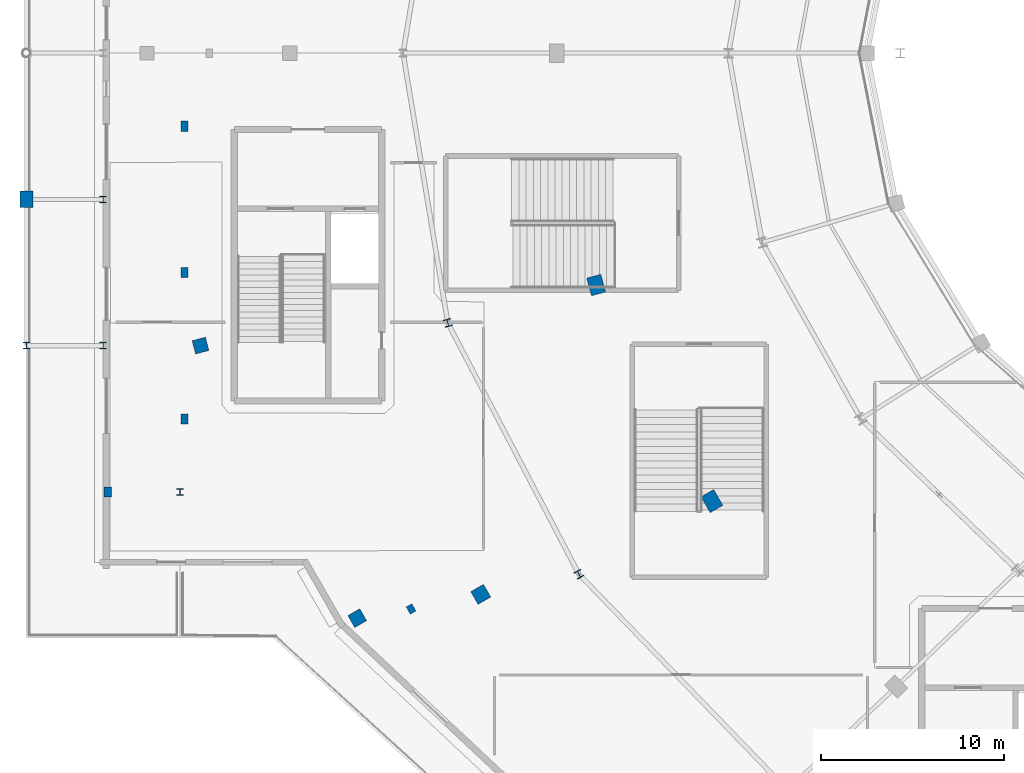
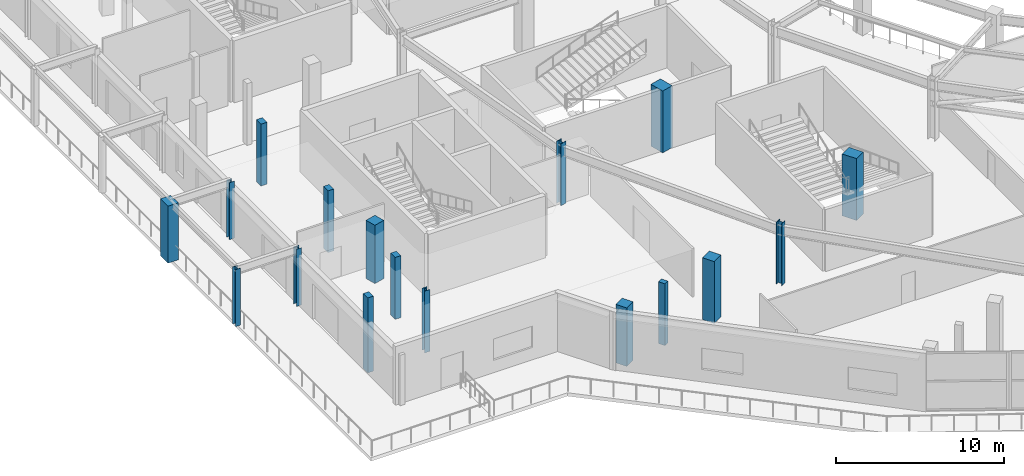
# One storey, part 2 of 107: 17 columns.
"""IFC4 building model written with IfcOpenShell, lengths in metres."""

from ifc_helpers import new_model, si_unit, direction, frame, origin, origin_2d, place, context, subcontext, project, spatial, rectangle, i_section, extrude, material, material_profile, profile_set, type_object, element, save


model = new_model("IFC4")

# Units and contexts
model_context = context("Model", 3, precision=1e-05, world=origin(), true_north=direction((0.0, 1.0)))
body_context = subcontext(model_context, "Body", "Model", "MODEL_VIEW")
ifc_project = project(units=[si_unit("LENGTHUNIT", "METRE"), si_unit("AREAUNIT", "SQUARE_METRE"), si_unit("VOLUMEUNIT", "CUBIC_METRE"), si_unit("PLANEANGLEUNIT", "RADIAN"), si_unit("MASSUNIT", "GRAM", prefix="KILO")], contexts=[model_context])

# Site, building, storey
site_placement = place(None, origin())
site = spatial("IfcSite", under=ifc_project, at=site_placement, CompositionType="ELEMENT")
building_placement = place(site_placement, origin())
building = spatial("IfcBuilding", under=site, at=building_placement, Name="Kalgoora Escarpment Arena", CompositionType="ELEMENT")
storey_placement = place(building_placement, frame((0.0, 0.0, 5.39990234375)))
storey = spatial("IfcBuildingStorey", under=building, at=storey_placement, Name="L01", CompositionType="ELEMENT", Elevation=5.39990234375)

# Columns
ifc_material_1 = material(Name="Structural steel Grade 350 (350 MPa)", Category="steel")
ifc_material_profile_1 = material_profile(ifc_material_1, i_section(OverallWidth=0.35009765625, OverallDepth=0.35009765625, WebThickness=0.013916015625, FlangeThickness=0.02392578125, at=origin_2d()))
ifc_profile_set_1 = profile_set([ifc_material_profile_1], Name="Structural steel Grade 350 (350 MPa)")
column_type_1 = type_object("IfcColumnType", Name="COL-COL-350WC197", PredefinedType="COLUMN", material=ifc_profile_set_1)
column_1_placement = place(storey_placement, frame((0.0, 48.0, 0.0), z_axis=(0.0, 0.0, 1.0), x_axis=(1.0, 0.0, 0.0)))
element("IfcColumn", 1, at=column_1_placement, inside=storey, type_object=column_type_1, Name="L01 structural column COL-G1-G", PredefinedType="COLUMN", context=body_context, shape_type="SweptSolid", body=[
    extrude(i_section(OverallWidth=0.35009765625, OverallDepth=0.35009765625, WebThickness=0.013916015625, FlangeThickness=0.02392578125, at=origin_2d()), origin(), (0.0, 0.0, 1.0), 4.150146484375),
])
column_2_placement = place(storey_placement, frame((8.39990234375, 40.0, 0.0), z_axis=(0.0, 0.0, 1.0), x_axis=(1.0, 0.0, 0.0)))
element("IfcColumn", 2, at=column_2_placement, inside=storey, type_object=column_type_1, Name="L01 structural column COL-G2-F", PredefinedType="COLUMN", context=body_context, shape_type="SweptSolid", body=[
    extrude(i_section(OverallWidth=0.35009765625, OverallDepth=0.35009765625, WebThickness=0.013916015625, FlangeThickness=0.02392578125, at=origin_2d()), origin(), (0.0, 0.0, 1.0), 4.5),
])
for number, where, z_axis, x_axis, name in (
    (3, (4.199951171875, 48.0, 0.0), (0.0, 0.0, 1.0), (1.0, 0.0, 0.0), "L01 structural column COL-CAN-IN-48"),
    (4, (4.199951171875, 56.0, 0.0), (0.0, 0.0, 1.0), (1.0, 0.0, 0.0), "L01 structural column COL-CAN-IN-56"),
):
    element("IfcColumn", number, at=place(storey_placement, frame(where, z_axis=z_axis, x_axis=x_axis)), inside=storey, type_object=column_type_1, Name=name, PredefinedType="COLUMN", context=body_context, shape_type="SweptSolid", body=[
        extrude(i_section(OverallWidth=0.35009765625, OverallDepth=0.35009765625, WebThickness=0.013916015625, FlangeThickness=0.02392578125, at=origin_2d()), origin(), (0.0, 0.0, 1.0), 4.150146484375),
    ])
ifc_material_2 = material(Name="Structural steel Grade 350 (350 MPa)", Category="steel")
ifc_material_profile_2 = material_profile(ifc_material_2, i_section(OverallWidth=0.39990234375, OverallDepth=0.39990234375, WebThickness=0.01806640625, FlangeThickness=0.031982421875, at=origin_2d()))
ifc_profile_set_2 = profile_set([ifc_material_profile_2], Name="Structural steel Grade 350 (350 MPa)")
column_type_2 = type_object("IfcColumnType", Name="COL-COL-400WC270", PredefinedType="COLUMN", material=ifc_profile_set_2)
for number, where, z_axis, x_axis, name in (
    (5, (23.04638671875, 49.247314453125, 0.0), (0.0, 0.0, 1.0), (-0.965925826289, -0.258819045103, 0.0), "L01 structural column COL-RCONC2-R14"),
    (6, (30.219482421875, 35.5, 0.0), (0.0, 0.0, 1.0), (-0.866025403784, -0.5, 0.0), "L01 structural column COL-RCONC2-R15"),
):
    element("IfcColumn", number, at=place(storey_placement, frame(where, z_axis=z_axis, x_axis=x_axis)), inside=storey, type_object=column_type_2, Name=name, PredefinedType="COLUMN", context=body_context, shape_type="SweptSolid", body=[
        extrude(i_section(OverallWidth=0.39990234375, OverallDepth=0.39990234375, WebThickness=0.01806640625, FlangeThickness=0.031982421875, at=origin_2d()), origin(), (0.0, 0.0, 1.0), 4.5),
    ])
ifc_material_3 = material(Name="Concrete N50 (fc' 50 MPa)", Category="concrete")
ifc_material_profile_3 = material_profile(ifc_material_3, rectangle(XDim=0.800048828125, YDim=1.0, at=origin_2d()))
ifc_profile_set_3 = profile_set([ifc_material_profile_3], Name="Concrete N50 (fc' 50 MPa)")
column_type_3 = type_object("IfcColumnType", Name="COL-COL-RC1000x800", PredefinedType="COLUMN", material=ifc_profile_set_3)
for number, where, z_axis, x_axis, name in (
    (7, (31.160400390625, 51.31787109375, 0.0), (0.0, 0.0, 1.0), (-0.965925826289, -0.258819045103, 0.0), "L01 structural column COL-RCONC1-R14"),
    (8, (37.493896484375, 39.5, 0.0), (0.0, 0.0, 1.0), (-0.866025403784, -0.5, 0.0), "L01 structural column COL-RCONC1-R15"),
):
    element("IfcColumn", number, at=place(storey_placement, frame(where, z_axis=z_axis, x_axis=x_axis)), inside=storey, type_object=column_type_3, Name=name, PredefinedType="COLUMN", context=body_context, shape_type="SweptSolid", body=[
        extrude(rectangle(XDim=0.800048828125, YDim=1.0, at=origin_2d()), origin(), (0.0, 0.0, 1.0), 4.5),
    ])
ifc_material_4 = material(Name="Concrete N50 (fc' 50 MPa)", Category="concrete")
ifc_material_profile_4 = material_profile(ifc_material_4, rectangle(XDim=0.75, YDim=0.75, at=origin_2d()))
ifc_profile_set_4 = profile_set([ifc_material_profile_4], Name="Concrete N50 (fc' 50 MPa)")
column_type_4 = type_object("IfcColumnType", Name="COL-COL-RC750x750", PredefinedType="COLUMN", material=ifc_profile_set_4)
column_3_placement = place(storey_placement, frame((9.523681640625, 48.0048828125, 0.0), z_axis=(0.0, 0.0, 1.0), x_axis=(-0.965925826289, -0.258819045103, 0.0)))
element("IfcColumn", 9, at=column_3_placement, inside=storey, type_object=column_type_4, Name="L01 structural column COL-RBASE2-R14", PredefinedType="COLUMN", context=body_context, shape_type="SweptSolid", body=[
    extrude(rectangle(XDim=0.75, YDim=0.75, at=origin_2d()), origin(), (0.0, 0.0, 1.0), 4.239990234375),
])
column_4_placement = place(storey_placement, frame((18.094970703125, 33.10009765625, 0.0), z_axis=(0.0, 0.0, 1.0), x_axis=(-0.866025403784, -0.5, 0.0)))
element("IfcColumn", 10, at=column_4_placement, inside=storey, type_object=column_type_4, Name="L01 structural column COL-RBASE2-R15", PredefinedType="COLUMN", context=body_context, shape_type="SweptSolid", body=[
    extrude(rectangle(XDim=0.75, YDim=0.75, at=origin_2d()), origin(), (0.0, 0.0, 1.0), 4.25),
])
ifc_material_5 = material(Name="Concrete N50 (fc' 50 MPa)", Category="concrete")
ifc_material_profile_5 = material_profile(ifc_material_5, rectangle(XDim=0.800048828125, YDim=0.800048828125, at=origin_2d()))
ifc_profile_set_5 = profile_set([ifc_material_profile_5], Name="Concrete N50 (fc' 50 MPa)")
column_type_5 = type_object("IfcColumnType", Name="COL-COL-RC800x800", PredefinedType="COLUMN", material=ifc_profile_set_5)
column_5_placement = place(storey_placement, frame((24.85009765625, 34.39990234375, 0.0), z_axis=(0.0, 0.0, 1.0), x_axis=(-0.866025403784, -0.5, 0.0)))
element("IfcColumn", 11, at=column_5_placement, inside=storey, type_object=column_type_5, Name="L01 structural column COL-RBASE1-R15", PredefinedType="COLUMN", context=body_context, shape_type="SweptSolid", body=[
    extrude(rectangle(XDim=0.800048828125, YDim=0.800048828125, at=origin_2d()), origin(), (0.0, 0.0, 1.0), 4.5),
])
ifc_material_6 = material(Name="Concrete N50 (fc' 50 MPa)", Category="concrete")
ifc_material_profile_6 = material_profile(ifc_material_6, rectangle(XDim=0.699951171875, YDim=0.89990234375, at=origin_2d()))
ifc_profile_set_6 = profile_set([ifc_material_profile_6], Name="Concrete N50 (fc' 50 MPa)")
column_type_6 = type_object("IfcColumnType", Name="COL-COL-RC900x700", PredefinedType="COLUMN", material=ifc_profile_set_6)
column_6_placement = place(storey_placement, frame((0.0, 56.0, 0.0), z_axis=(0.0, 0.0, 1.0), x_axis=(1.0, 0.0, 0.0)))
element("IfcColumn", 12, at=column_6_placement, inside=storey, type_object=column_type_6, Name="L01 structural column COL-G1-H", PredefinedType="COLUMN", context=body_context, shape_type="SweptSolid", body=[
    extrude(rectangle(XDim=0.699951171875, YDim=0.89990234375, at=origin_2d()), origin(), (0.0, 0.0, 1.0), 4.150146484375),
])
ifc_material_7 = material(Name="Precast concrete N50 (fc' 50 MPa)", Category="concrete")
ifc_material_profile_7 = material_profile(ifc_material_7, rectangle(XDim=0.35009765625, YDim=0.449951171875, at=origin_2d()))
ifc_profile_set_7 = profile_set([ifc_material_profile_7], Name="Precast concrete N50 (fc' 50 MPa)")
column_type_7 = type_object("IfcColumnType", Name="COL-PIL-PC-PILASTER-450x350", PredefinedType="PILASTER", material=ifc_profile_set_7)
column_7_placement = place(storey_placement, frame((21.0400390625, 33.60009765625, 0.0), z_axis=(0.0, 0.0, 1.0), x_axis=(-0.866025403784, -0.5, 0.0)))
element("IfcColumn", 13, at=column_7_placement, inside=storey, type_object=column_type_7, Name="L01 fluted pilaster PIL-060", PredefinedType="PILASTER", context=body_context, shape_type="SweptSolid", body=[
    extrude(rectangle(XDim=0.35009765625, YDim=0.449951171875, at=origin_2d()), origin(), (0.0, 0.0, 1.0), 4.5),
])
ifc_material_8 = material(Name="Precast concrete N50 (fc' 50 MPa)", Category="concrete")
ifc_material_profile_8 = material_profile(ifc_material_8, rectangle(XDim=0.39990234375, YDim=0.550048828125, at=origin_2d()))
ifc_profile_set_8 = profile_set([ifc_material_profile_8], Name="Precast concrete N50 (fc' 50 MPa)")
column_type_8 = type_object("IfcColumnType", Name="COL-PIL-PC-PILASTER-550x400", PredefinedType="PILASTER", material=ifc_profile_set_8)
column_8_placement = place(storey_placement, frame((4.449951171875, 40.0, 0.0), z_axis=(0.0, 0.0, 1.0), x_axis=(1.0, 0.0, 0.0)))
element("IfcColumn", 14, at=column_8_placement, inside=storey, type_object=column_type_8, Name="L01 fluted pilaster PIL-009", PredefinedType="PILASTER", context=body_context, shape_type="SweptSolid", body=[
    extrude(rectangle(XDim=0.39990234375, YDim=0.550048828125, at=origin_2d()), origin(), (0.0, 0.0, 1.0), 5.4501953125),
])
for number, where, z_axis, x_axis, name in (
    (15, (8.64990234375, 44.0, 0.0), (0.0, 0.0, 1.0), (1.0, 0.0, 0.0), "L01 fluted pilaster PIL-016"),
    (16, (8.64990234375, 52.0, 0.0), (0.0, 0.0, 1.0), (1.0, 0.0, 0.0), "L01 fluted pilaster PIL-017"),
    (17, (8.64990234375, 60.0, 0.0), (0.0, 0.0, 1.0), (1.0, 0.0, 0.0), "L01 fluted pilaster PIL-018"),
):
    element("IfcColumn", number, at=place(storey_placement, frame(where, z_axis=z_axis, x_axis=x_axis)), inside=storey, type_object=column_type_8, Name=name, PredefinedType="PILASTER", context=body_context, shape_type="SweptSolid", body=[
        extrude(rectangle(XDim=0.39990234375, YDim=0.550048828125, at=origin_2d()), origin(), (0.0, 0.0, 1.0), 4.5),
    ])

save(model, "model.ifc")
